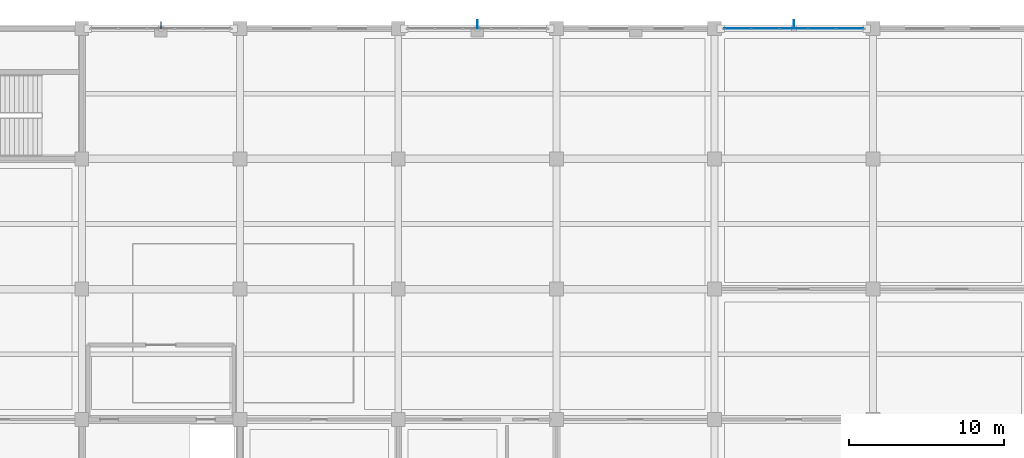
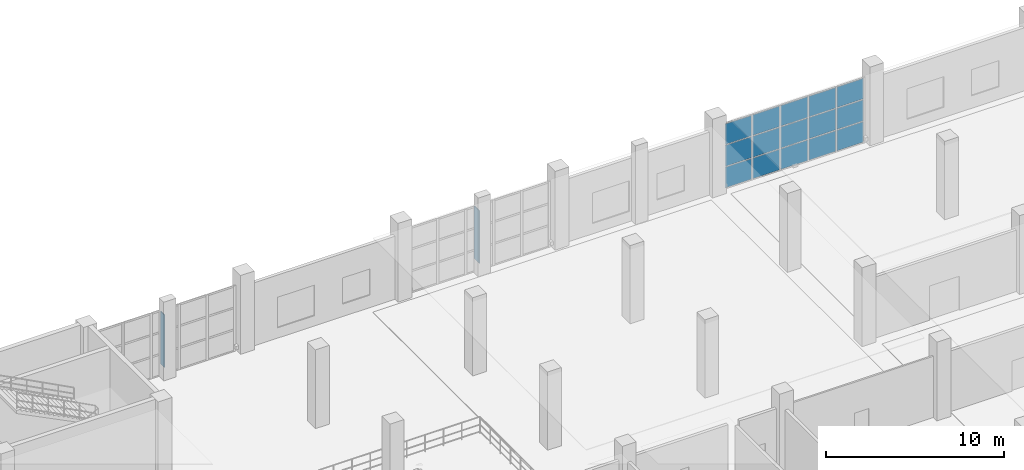
# One storey, part 121 of 175: 18 plates, 1 element without a shape of its own.
"""IFC4 building model written with IfcOpenShell, lengths in metres."""

from ifc_helpers import new_model, si_unit, direction, frame, origin, origin_2d, place, context, subcontext, project, spatial, rectangle, extrude, material, layer, layer_set, type_object, element, aggregate, save


model = new_model("IFC4")

# Units and contexts
model_context = context("Model", 3, precision=1e-05, world=origin(), true_north=direction((0.0, 1.0)))
body_context = subcontext(model_context, "Body", "Model", "MODEL_VIEW")
ifc_project = project(units=[si_unit("LENGTHUNIT", "METRE"), si_unit("AREAUNIT", "SQUARE_METRE"), si_unit("VOLUMEUNIT", "CUBIC_METRE"), si_unit("PLANEANGLEUNIT", "RADIAN"), si_unit("MASSUNIT", "GRAM", prefix="KILO")], contexts=[model_context])

# Site, building, storey
site_placement = place(None, origin())
site = spatial("IfcSite", under=ifc_project, at=site_placement, CompositionType="ELEMENT")
building_placement = place(site_placement, origin())
building = spatial("IfcBuilding", under=site, at=building_placement, Name="Brelvane Convention Centre", CompositionType="ELEMENT")
storey_placement = place(building_placement, frame((0.0, 0.0, 5.39990234375)))
storey = spatial("IfcBuildingStorey", under=building, at=storey_placement, Name="L01", CompositionType="ELEMENT", Elevation=5.39990234375)

# Curtain wall, plates
ifc_material_1 = material(Name="Anodised Aluminium Alloy 6063-T6", Category="aluminium")
curtain_wall_type = type_object("IfcCurtainWallType", Name="Curtain Wall CW-BOUL", PredefinedType="USERDEFINED", material=ifc_material_1)
curtain_wall_placement = place(storey_placement, origin())
curtain_wall = element("IfcCurtainWall", 1, at=curtain_wall_placement, inside=storey, type_object=curtain_wall_type, Name="Curtain Wall CW-BOUL L01-V4N-08", ObjectType="UNITISED", PredefinedType="USERDEFINED")
ifc_material_2 = material(Name="Double Glazed Low-E Laminated Unit")
ifc_layer_1 = layer(ifc_material_2, 0.0380859375)
ifc_layer_set_1 = layer_set([ifc_layer_1], Name="Double Glazed Low-E Laminated Unit")
plate_type_1 = type_object("IfcPlateType", Name="Curtain Panel CW-PG2", PredefinedType="CURTAIN_PANEL", material=ifc_layer_set_1)
plate_1_placement = place(storey_placement, frame((72.876220703125, 144.0, 0.06005859375), z_axis=(0.0, 0.0, 1.0), x_axis=(1.0, 0.0, 0.0)))
plate_1 = element("IfcPlate", 2, at=plate_1_placement, type_object=plate_type_1, Name="CW-BOUL panel 1.1", PredefinedType="CURTAIN_PANEL", context=body_context, shape_type="SweptSolid", body=[
    extrude(rectangle(XDim=1.722412109375, YDim=0.0380859375, at=origin_2d()), origin(), (0.0, 0.0, 1.0), 1.409912109375),
])
plate_2_placement = place(storey_placement, frame((72.876220703125, 144.0, 1.530029296875), z_axis=(0.0, 0.0, 1.0), x_axis=(1.0, 0.0, 0.0)))
plate_2 = element("IfcPlate", 3, at=plate_2_placement, type_object=plate_type_1, Name="CW-BOUL panel 1.2", PredefinedType="CURTAIN_PANEL", context=body_context, shape_type="SweptSolid", body=[
    extrude(rectangle(XDim=1.722412109375, YDim=0.0380859375, at=origin_2d()), origin(), (0.0, 0.0, 1.0), 1.43994140625),
])
plate_3_placement = place(storey_placement, frame((72.876220703125, 144.0, 3.0302734375), z_axis=(0.0, 0.0, 1.0), x_axis=(1.0, 0.0, 0.0)))
plate_3 = element("IfcPlate", 4, at=plate_3_placement, type_object=plate_type_1, Name="CW-BOUL panel 1.3", PredefinedType="CURTAIN_PANEL", context=body_context, shape_type="SweptSolid", body=[
    extrude(rectangle(XDim=1.722412109375, YDim=0.0380859375, at=origin_2d()), origin(), (0.0, 0.0, 1.0), 1.409912109375),
])
plate_4_placement = place(storey_placement, frame((74.679931640625, 144.0, 0.06005859375), z_axis=(0.0, 0.0, 1.0), x_axis=(1.0, 0.0, 0.0)))
plate_4 = element("IfcPlate", 5, at=plate_4_placement, type_object=plate_type_1, Name="CW-BOUL panel 2.1", PredefinedType="CURTAIN_PANEL", context=body_context, shape_type="SweptSolid", body=[
    extrude(rectangle(XDim=1.7548828125, YDim=0.0380859375, at=origin_2d()), origin(), (0.0, 0.0, 1.0), 1.409912109375),
])
plate_5_placement = place(storey_placement, frame((74.679931640625, 144.0, 1.530029296875), z_axis=(0.0, 0.0, 1.0), x_axis=(1.0, 0.0, 0.0)))
plate_5 = element("IfcPlate", 6, at=plate_5_placement, type_object=plate_type_1, Name="CW-BOUL panel 2.2", PredefinedType="CURTAIN_PANEL", context=body_context, shape_type="SweptSolid", body=[
    extrude(rectangle(XDim=1.7548828125, YDim=0.0380859375, at=origin_2d()), origin(), (0.0, 0.0, 1.0), 1.43994140625),
])
plate_6_placement = place(storey_placement, frame((74.679931640625, 144.0, 3.0302734375), z_axis=(0.0, 0.0, 1.0), x_axis=(1.0, 0.0, 0.0)))
plate_6 = element("IfcPlate", 7, at=plate_6_placement, type_object=plate_type_1, Name="CW-BOUL panel 2.3", PredefinedType="CURTAIN_PANEL", context=body_context, shape_type="SweptSolid", body=[
    extrude(rectangle(XDim=1.7548828125, YDim=0.0380859375, at=origin_2d()), origin(), (0.0, 0.0, 1.0), 1.409912109375),
])
plate_7_placement = place(storey_placement, frame((76.5, 144.0, 0.06005859375), z_axis=(0.0, 0.0, 1.0), x_axis=(1.0, 0.0, 0.0)))
plate_7 = element("IfcPlate", 8, at=plate_7_placement, type_object=plate_type_1, Name="CW-BOUL panel 3.1", PredefinedType="CURTAIN_PANEL", context=body_context, shape_type="SweptSolid", body=[
    extrude(rectangle(XDim=1.7548828125, YDim=0.0380859375, at=origin_2d()), origin(), (0.0, 0.0, 1.0), 1.409912109375),
])
plate_8_placement = place(storey_placement, frame((76.5, 144.0, 1.530029296875), z_axis=(0.0, 0.0, 1.0), x_axis=(1.0, 0.0, 0.0)))
plate_8 = element("IfcPlate", 9, at=plate_8_placement, type_object=plate_type_1, Name="CW-BOUL panel 3.2", PredefinedType="CURTAIN_PANEL", context=body_context, shape_type="SweptSolid", body=[
    extrude(rectangle(XDim=1.7548828125, YDim=0.0380859375, at=origin_2d()), origin(), (0.0, 0.0, 1.0), 1.43994140625),
])
plate_9_placement = place(storey_placement, frame((76.5, 144.0, 3.0302734375), z_axis=(0.0, 0.0, 1.0), x_axis=(1.0, 0.0, 0.0)))
plate_9 = element("IfcPlate", 10, at=plate_9_placement, type_object=plate_type_1, Name="CW-BOUL panel 3.3", PredefinedType="CURTAIN_PANEL", context=body_context, shape_type="SweptSolid", body=[
    extrude(rectangle(XDim=1.7548828125, YDim=0.0380859375, at=origin_2d()), origin(), (0.0, 0.0, 1.0), 1.409912109375),
])
plate_10_placement = place(storey_placement, frame((78.320068359375, 144.0, 0.06005859375), z_axis=(0.0, 0.0, 1.0), x_axis=(1.0, 0.0, 0.0)))
plate_10 = element("IfcPlate", 11, at=plate_10_placement, type_object=plate_type_1, Name="CW-BOUL panel 4.1", PredefinedType="CURTAIN_PANEL", context=body_context, shape_type="SweptSolid", body=[
    extrude(rectangle(XDim=1.7548828125, YDim=0.0380859375, at=origin_2d()), origin(), (0.0, 0.0, 1.0), 1.409912109375),
])
plate_11_placement = place(storey_placement, frame((78.320068359375, 144.0, 1.530029296875), z_axis=(0.0, 0.0, 1.0), x_axis=(1.0, 0.0, 0.0)))
plate_11 = element("IfcPlate", 12, at=plate_11_placement, type_object=plate_type_1, Name="CW-BOUL panel 4.2", PredefinedType="CURTAIN_PANEL", context=body_context, shape_type="SweptSolid", body=[
    extrude(rectangle(XDim=1.7548828125, YDim=0.0380859375, at=origin_2d()), origin(), (0.0, 0.0, 1.0), 1.43994140625),
])
plate_12_placement = place(storey_placement, frame((78.320068359375, 144.0, 3.0302734375), z_axis=(0.0, 0.0, 1.0), x_axis=(1.0, 0.0, 0.0)))
plate_12 = element("IfcPlate", 13, at=plate_12_placement, type_object=plate_type_1, Name="CW-BOUL panel 4.3", PredefinedType="CURTAIN_PANEL", context=body_context, shape_type="SweptSolid", body=[
    extrude(rectangle(XDim=1.7548828125, YDim=0.0380859375, at=origin_2d()), origin(), (0.0, 0.0, 1.0), 1.409912109375),
])
plate_13_placement = place(storey_placement, frame((80.123779296875, 144.0, 0.06005859375), z_axis=(0.0, 0.0, 1.0), x_axis=(1.0, 0.0, 0.0)))
plate_13 = element("IfcPlate", 14, at=plate_13_placement, type_object=plate_type_1, Name="CW-BOUL panel 5.1", PredefinedType="CURTAIN_PANEL", context=body_context, shape_type="SweptSolid", body=[
    extrude(rectangle(XDim=1.722412109375, YDim=0.0380859375, at=origin_2d()), origin(), (0.0, 0.0, 1.0), 1.409912109375),
])
plate_14_placement = place(storey_placement, frame((80.123779296875, 144.0, 1.530029296875), z_axis=(0.0, 0.0, 1.0), x_axis=(1.0, 0.0, 0.0)))
plate_14 = element("IfcPlate", 15, at=plate_14_placement, type_object=plate_type_1, Name="CW-BOUL panel 5.2", PredefinedType="CURTAIN_PANEL", context=body_context, shape_type="SweptSolid", body=[
    extrude(rectangle(XDim=1.722412109375, YDim=0.0380859375, at=origin_2d()), origin(), (0.0, 0.0, 1.0), 1.43994140625),
])
plate_15_placement = place(storey_placement, frame((80.123779296875, 144.0, 3.0302734375), z_axis=(0.0, 0.0, 1.0), x_axis=(1.0, 0.0, 0.0)))
plate_15 = element("IfcPlate", 16, at=plate_15_placement, type_object=plate_type_1, Name="CW-BOUL panel 5.3", PredefinedType="CURTAIN_PANEL", context=body_context, shape_type="SweptSolid", body=[
    extrude(rectangle(XDim=1.722412109375, YDim=0.0380859375, at=origin_2d()), origin(), (0.0, 0.0, 1.0), 1.409912109375),
])
aggregate(curtain_wall, [plate_1, plate_2, plate_3, plate_4, plate_5, plate_6, plate_7, plate_8, plate_9, plate_10, plate_11, plate_12, plate_13, plate_14, plate_15])

# Plates
ifc_material_3 = material(Name="Patinated Copper-Bronze Alloy C22000")
ifc_layer_2 = layer(ifc_material_3, 0.0400390625)
ifc_layer_set_2 = layer_set([ifc_layer_2], Name="Patinated Copper-Bronze Alloy C22000")
plate_type_2 = type_object("IfcPlateType", Name="Monsoon Sun Fin FN-CU1", PredefinedType="USERDEFINED", material=ifc_layer_set_2)
plate_16_placement = place(storey_placement, frame((35.699951171875, 144.22509765625, 0.449951171875), z_axis=(0.0, 0.0, 1.0), x_axis=(1.0, 0.0, 0.0)))
element("IfcPlate", 17, at=plate_16_placement, inside=storey, type_object=plate_type_2, Name="Rear Wing Monsoon Sun Fin L01-F4", ObjectType="SHADING_DEVICE", PredefinedType="USERDEFINED", context=body_context, shape_type="SweptSolid", body=[
    extrude(rectangle(XDim=0.0400390625, YDim=0.449951171875, at=origin_2d()), origin(), (0.0, 0.0, 1.0), 3.60009765625),
])
ifc_material_4 = material(Name="Patinated Copper-Bronze Alloy C22000")
ifc_layer_3 = layer(ifc_material_4, 0.044921875)
ifc_layer_set_3 = layer_set([ifc_layer_3], Name="Patinated Copper-Bronze Alloy C22000")
plate_type_3 = type_object("IfcPlateType", Name="Monsoon Sun Fin FN-CU2", PredefinedType="USERDEFINED", material=ifc_layer_set_3)
for number, where, z_axis, x_axis, name in (
    (18, (56.10009765625, 144.27490234375, 0.449951171875), (0.0, 0.0, 1.0), (1.0, 0.0, 0.0), "Rear Wing Monsoon Sun Fin L01-F6"),
    (19, (76.5, 144.27490234375, 0.449951171875), (0.0, 0.0, 1.0), (1.0, 0.0, 0.0), "Rear Wing Monsoon Sun Fin L01-F8"),
):
    element("IfcPlate", number, at=place(storey_placement, frame(where, z_axis=z_axis, x_axis=x_axis)), inside=storey, type_object=plate_type_3, Name=name, ObjectType="SHADING_DEVICE", PredefinedType="USERDEFINED", context=body_context, shape_type="SweptSolid", body=[
        extrude(rectangle(XDim=0.044921875, YDim=0.550048828125, at=origin_2d()), origin(), (0.0, 0.0, 1.0), 3.60009765625),
    ])

save(model, "model.ifc")
